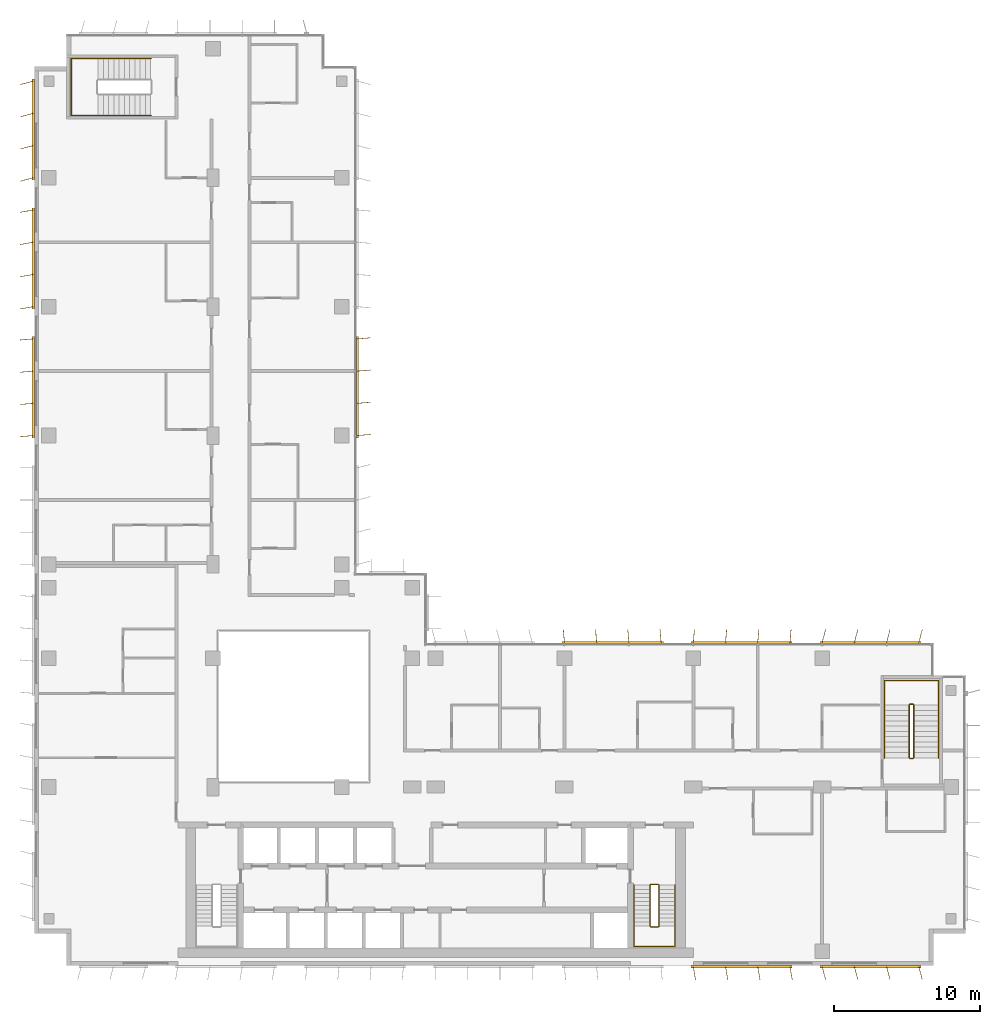
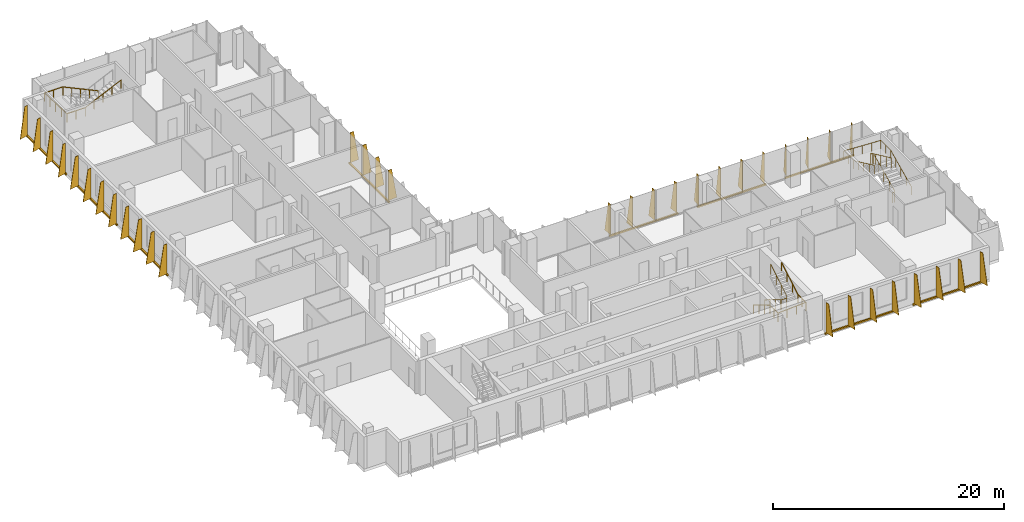
# One storey, part 19 of 20: 9 shading devices, 5 railings.
"""IFC4 building model written with IfcOpenShell, lengths in metres."""

from ifc_helpers import new_model, si_unit, direction, frame, origin, origin_2d, place, context, subcontext, project, spatial, polyline, rectangle, circle, outline, extrude, source, transform, mapped, material, layer, layer_set, type_object, element, save


model = new_model("IFC4")

# Units and contexts
model_context = context("Model", 3, precision=1e-05, world=origin(), true_north=direction((0.0, 1.0)))
body_context = subcontext(model_context, "Body", "Model", "MODEL_VIEW")
ifc_project = project(units=[si_unit("LENGTHUNIT", "METRE"), si_unit("AREAUNIT", "SQUARE_METRE"), si_unit("VOLUMEUNIT", "CUBIC_METRE"), si_unit("PLANEANGLEUNIT", "RADIAN"), si_unit("MASSUNIT", "GRAM", prefix="KILO")], contexts=[model_context])

# Site, building, storey
site_placement = place(None, origin())
site = spatial("IfcSite", under=ifc_project, at=site_placement, CompositionType="ELEMENT")
building_placement = place(site_placement, origin())
building = spatial("IfcBuilding", under=site, at=building_placement, Name="Kemantara Hotel Tower", CompositionType="ELEMENT")
storey_placement = place(building_placement, frame((0.0, 0.0, 186.39990234375)))
storey = spatial("IfcBuildingStorey", under=building, at=storey_placement, Name="L46", CompositionType="ELEMENT", Elevation=186.39990234375)

# Railings
ifc_material_1 = material(Name="Stainless steel balustrade", Category="steel")
railing_type_1 = type_object("IfcRailingType", Name="Stair guard 1100 mm", PredefinedType="GUARDRAIL", material=ifc_material_1)
railing_1_placement = place(storey_placement, frame((42.64990234375, 5.5, 3.7001953125)))
element("IfcRailing", 1, at=railing_1_placement, inside=storey, type_object=railing_type_1, Name="L46 ST2 stair guard 1", PredefinedType="GUARDRAIL", context=body_context, shape_type="SweptSolid", body=[
    extrude(circle(Radius=0.02392578125, at=origin_2d()), frame((0.0, 0.0, 1.076171875), z_axis=(0.0, -0.857242210791, -0.514913383045), x_axis=(1.0, 0.0, 0.0)), (0.0, 0.0, 1.0), 3.266357421875),
    extrude(circle(Radius=0.02392578125, at=origin_2d()), frame((0.0, -2.800048828125, -0.60595703125), z_axis=(-0.273006030465, -0.27434429532, -0.922064485248), x_axis=(0.708833529934, -0.705375805398, 0.0)), (0.0, 0.0, 1.0), 0.182373046875),
    extrude(circle(Radius=0.02392578125, at=origin_2d()), frame((-0.0498046875, -2.85009765625, -0.77392578125), z_axis=(-1.0, 0.0, 0.0), x_axis=(0.0, -1.0, 0.0)), (0.0, 0.0, 1.0), 0.5),
    extrude(circle(Radius=0.02392578125, at=origin_2d()), frame((-0.5498046875, -2.85009765625, -0.77392578125), z_axis=(-0.707106781187, 0.707106781187, 0.0), x_axis=(-0.707106781187, -0.707106781187, 0.0)), (0.0, 0.0, 1.0), 0.07080078125),
    extrude(circle(Radius=0.02392578125, at=origin_2d()), frame((-0.599853515625, -2.800048828125, -0.77392578125), z_axis=(0.0, 0.857242210791, -0.514913383045), x_axis=(-1.0, 0.0, 0.0)), (0.0, 0.0, 1.0), 3.266357421875),
    extrude(circle(Radius=0.02392578125, at=origin_2d()), frame((-0.599853515625, 0.0, -2.4560546875), z_axis=(0.274243871929, 0.274243871929, -0.92172696468), x_axis=(-0.707106781187, 0.707106781187, 0.0)), (0.0, 0.0, 1.0), 0.1826171875),
    extrude(circle(Radius=0.02392578125, at=origin_2d()), frame((-0.5498046875, 0.050048828125, -2.6240234375), z_axis=(1.0, 0.0, 0.0), x_axis=(0.0, 1.0, 0.0)), (0.0, 0.0, 1.0), 0.5),
    extrude(circle(Radius=0.02099609375, at=origin_2d()), origin(), (0.0, 0.0, 1.0), 1.052001953125),
    extrude(circle(Radius=0.02099609375, at=origin_2d()), frame((0.0, -0.933349609375, -0.560546875)), (0.0, 0.0, 1.0), 1.052001953125),
    extrude(circle(Radius=0.02099609375, at=origin_2d()), frame((0.0, -1.86669921875, -1.121337890625)), (0.0, 0.0, 1.0), 1.052001953125),
    extrude(circle(Radius=0.02099609375, at=origin_2d()), frame((0.0, -2.800048828125, -1.681884765625)), (0.0, 0.0, 1.0), 1.052001953125),
    extrude(circle(Radius=0.02099609375, at=origin_2d()), frame((-0.0498046875, -2.85009765625, -1.85009765625)), (0.0, 0.0, 1.0), 1.052001953125),
    extrude(circle(Radius=0.02099609375, at=origin_2d()), frame((-0.5498046875, -2.85009765625, -1.85009765625)), (0.0, 0.0, 1.0), 1.052001953125),
    extrude(circle(Radius=0.02099609375, at=origin_2d()), frame((-0.599853515625, -2.800048828125, -1.85009765625)), (0.0, 0.0, 1.0), 1.052001953125),
    extrude(circle(Radius=0.02099609375, at=origin_2d()), frame((-0.599853515625, -1.86669921875, -2.41064453125)), (0.0, 0.0, 1.0), 1.052001953125),
    extrude(circle(Radius=0.02099609375, at=origin_2d()), frame((-0.599853515625, -0.933349609375, -2.971435546875)), (0.0, 0.0, 1.0), 1.052001953125),
    extrude(circle(Radius=0.02099609375, at=origin_2d()), frame((-0.599853515625, 0.0, -3.531982421875)), (0.0, 0.0, 1.0), 1.052001953125),
    extrude(circle(Radius=0.02099609375, at=origin_2d()), frame((-0.5498046875, 0.050048828125, -3.7001953125)), (0.0, 0.0, 1.0), 1.052001953125),
    extrude(circle(Radius=0.02099609375, at=origin_2d()), frame((-0.0498046875, 0.050048828125, -3.7001953125)), (0.0, 0.0, 1.0), 1.052001953125),
])
railing_2_placement = place(storey_placement, frame((59.75, 14.199951171875, 3.7001953125)))
element("IfcRailing", 2, at=railing_2_placement, inside=storey, type_object=railing_type_1, Name="L46 ST3 stair guard 1", PredefinedType="GUARDRAIL", context=body_context, shape_type="SweptSolid", body=[
    extrude(circle(Radius=0.02392578125, at=origin_2d()), frame((0.0, 0.0, 1.076171875), z_axis=(0.0, 0.906005689286, -0.423265508849), x_axis=(-1.0, 0.0, 0.0)), (0.0, 0.0, 1.0), 3.9736328125),
    extrude(circle(Radius=0.02392578125, at=origin_2d()), frame((0.0, 3.60009765625, -0.60595703125), z_axis=(0.274243871929, 0.274243871929, -0.92172696468), x_axis=(-0.707106781187, 0.707106781187, 0.0)), (0.0, 0.0, 1.0), 0.1826171875),
    extrude(circle(Radius=0.02392578125, at=origin_2d()), frame((0.050048828125, 3.650146484375, -0.77392578125), z_axis=(1.0, 0.0, 0.0), x_axis=(0.0, 1.0, 0.0)), (0.0, 0.0, 1.0), 0.199951171875),
    extrude(circle(Radius=0.02392578125, at=origin_2d()), frame((0.25, 3.650146484375, -0.77392578125), z_axis=(0.707106781187, -0.707106781187, 0.0), x_axis=(0.707106781187, 0.707106781187, 0.0)), (0.0, 0.0, 1.0), 0.07080078125),
    extrude(circle(Radius=0.02392578125, at=origin_2d()), frame((0.300048828125, 3.60009765625, -0.77392578125), z_axis=(0.0, -0.906005689286, -0.423265508849), x_axis=(1.0, 0.0, 0.0)), (0.0, 0.0, 1.0), 3.9736328125),
    extrude(circle(Radius=0.02392578125, at=origin_2d()), frame((0.300048828125, 0.0, -2.4560546875), z_axis=(-0.274243871929, -0.274243871929, -0.92172696468), x_axis=(0.707106781187, -0.707106781187, 0.0)), (0.0, 0.0, 1.0), 0.1826171875),
    extrude(circle(Radius=0.02392578125, at=origin_2d()), frame((0.25, -0.050048828125, -2.6240234375), z_axis=(-1.0, 0.0, 0.0), x_axis=(0.0, -1.0, 0.0)), (0.0, 0.0, 1.0), 0.199951171875),
    extrude(circle(Radius=0.02099609375, at=origin_2d()), origin(), (0.0, 0.0, 1.0), 1.052001953125),
    extrude(circle(Radius=0.02099609375, at=origin_2d()), frame((0.0, 0.89990234375, -0.42041015625)), (0.0, 0.0, 1.0), 1.052001953125),
    extrude(circle(Radius=0.02099609375, at=origin_2d()), frame((0.0, 1.800048828125, -0.8408203125)), (0.0, 0.0, 1.0), 1.052001953125),
    extrude(circle(Radius=0.02099609375, at=origin_2d()), frame((0.0, 2.7001953125, -1.261474609375)), (0.0, 0.0, 1.0), 1.052001953125),
    extrude(circle(Radius=0.02099609375, at=origin_2d()), frame((0.0, 3.60009765625, -1.681884765625)), (0.0, 0.0, 1.0), 1.052001953125),
    extrude(circle(Radius=0.02099609375, at=origin_2d()), frame((0.050048828125, 3.650146484375, -1.85009765625)), (0.0, 0.0, 1.0), 1.052001953125),
    extrude(circle(Radius=0.02099609375, at=origin_2d()), frame((0.25, 3.650146484375, -1.85009765625)), (0.0, 0.0, 1.0), 1.052001953125),
    extrude(circle(Radius=0.02099609375, at=origin_2d()), frame((0.300048828125, 3.60009765625, -1.85009765625)), (0.0, 0.0, 1.0), 1.052001953125),
    extrude(circle(Radius=0.02099609375, at=origin_2d()), frame((0.300048828125, 2.7001953125, -2.2705078125)), (0.0, 0.0, 1.0), 1.052001953125),
    extrude(circle(Radius=0.02099609375, at=origin_2d()), frame((0.300048828125, 1.800048828125, -2.69091796875)), (0.0, 0.0, 1.0), 1.052001953125),
    extrude(circle(Radius=0.02099609375, at=origin_2d()), frame((0.300048828125, 0.89990234375, -3.111572265625)), (0.0, 0.0, 1.0), 1.052001953125),
    extrude(circle(Radius=0.02099609375, at=origin_2d()), frame((0.300048828125, 0.0, -3.531982421875)), (0.0, 0.0, 1.0), 1.052001953125),
    extrude(circle(Radius=0.02099609375, at=origin_2d()), frame((0.25, -0.050048828125, -3.7001953125)), (0.0, 0.0, 1.0), 1.052001953125),
    extrude(circle(Radius=0.02099609375, at=origin_2d()), frame((0.050048828125, -0.050048828125, -3.7001953125)), (0.0, 0.0, 1.0), 1.052001953125),
])
railing_type_2 = type_object("IfcRailingType", Name="Stair handrail 900 mm", PredefinedType="HANDRAIL", material=ifc_material_1)
railing_3_placement = place(storey_placement, frame((40.949951171875, 5.5, 0.168212890625)))
element("IfcRailing", 3, at=railing_3_placement, inside=storey, type_object=railing_type_2, Name="L46 ST2 stair handrail 1", PredefinedType="HANDRAIL", context=body_context, shape_type="SweptSolid", body=[
    extrude(circle(Radius=0.02392578125, at=origin_2d()), frame((0.0, 0.0, 0.8759765625), z_axis=(0.0, -0.857242210791, 0.514913383045), x_axis=(1.0, 0.0, 0.0)), (0.0, 0.0, 1.0), 3.266357421875),
    extrude(circle(Radius=0.02392578125, at=origin_2d()), frame((0.0, -2.800048828125, 2.5576171875), z_axis=(0.0, -1.0, 0.0), x_axis=(1.0, 0.0, 0.0)), (0.0, 0.0, 1.0), 1.3798828125),
    extrude(circle(Radius=0.02392578125, at=origin_2d()), frame((0.0, -4.179931640625, 2.5576171875), z_axis=(0.998200367801, 0.0, 0.059966871865), x_axis=(0.0, 1.0, 0.0)), (0.0, 0.0, 1.0), 2.80517578125),
    extrude(circle(Radius=0.02392578125, at=origin_2d()), frame((2.800048828125, -4.179931640625, 2.72607421875), z_axis=(0.0, 1.0, 0.0), x_axis=(-1.0, 0.0, 0.0)), (0.0, 0.0, 1.0), 1.3798828125),
    extrude(circle(Radius=0.02392578125, at=origin_2d()), frame((2.800048828125, -2.800048828125, 2.72607421875), z_axis=(0.0, 0.857242210791, 0.514913383045), x_axis=(-1.0, 0.0, 0.0)), (0.0, 0.0, 1.0), 3.266357421875),
    extrude(circle(Radius=0.02099609375, at=origin_2d()), origin(), (0.0, 0.0, 1.0), 0.851806640625),
    extrude(circle(Radius=0.02099609375, at=origin_2d()), frame((0.0, -0.933349609375, 0.560546875)), (0.0, 0.0, 1.0), 0.851806640625),
    extrude(circle(Radius=0.02099609375, at=origin_2d()), frame((0.0, -1.86669921875, 1.121337890625)), (0.0, 0.0, 1.0), 0.851806640625),
    extrude(circle(Radius=0.02099609375, at=origin_2d()), frame((0.0, -2.800048828125, 1.681884765625)), (0.0, 0.0, 1.0), 0.851806640625),
    extrude(circle(Radius=0.02099609375, at=origin_2d()), frame((0.0, -3.489990234375, 1.681884765625)), (0.0, 0.0, 1.0), 0.851806640625),
    extrude(circle(Radius=0.02099609375, at=origin_2d()), frame((0.0, -4.179931640625, 1.681884765625)), (0.0, 0.0, 1.0), 0.851806640625),
    extrude(circle(Radius=0.02099609375, at=origin_2d()), frame((0.933349609375, -4.179931640625, 1.738037109375)), (0.0, 0.0, 1.0), 0.851806640625),
    extrude(circle(Radius=0.02099609375, at=origin_2d()), frame((1.86669921875, -4.179931640625, 1.7939453125)), (0.0, 0.0, 1.0), 0.851806640625),
    extrude(circle(Radius=0.02099609375, at=origin_2d()), frame((2.800048828125, -4.179931640625, 1.85009765625)), (0.0, 0.0, 1.0), 0.851806640625),
    extrude(circle(Radius=0.02099609375, at=origin_2d()), frame((2.800048828125, -3.489990234375, 1.85009765625)), (0.0, 0.0, 1.0), 0.851806640625),
    extrude(circle(Radius=0.02099609375, at=origin_2d()), frame((2.800048828125, -2.800048828125, 1.85009765625)), (0.0, 0.0, 1.0), 0.851806640625),
    extrude(circle(Radius=0.02099609375, at=origin_2d()), frame((2.800048828125, -1.86669921875, 2.41064453125)), (0.0, 0.0, 1.0), 0.851806640625),
    extrude(circle(Radius=0.02099609375, at=origin_2d()), frame((2.800048828125, -0.933349609375, 2.971435546875)), (0.0, 0.0, 1.0), 0.851806640625),
    extrude(circle(Radius=0.02099609375, at=origin_2d()), frame((2.800048828125, 0.0, 3.531982421875)), (0.0, 0.0, 1.0), 0.851806640625),
])
railing_4_placement = place(storey_placement, frame((61.75, 14.199951171875, 0.168212890625)))
element("IfcRailing", 4, at=railing_4_placement, inside=storey, type_object=railing_type_2, Name="L46 ST3 stair handrail 1", PredefinedType="HANDRAIL", context=body_context, shape_type="SweptSolid", body=[
    extrude(circle(Radius=0.02392578125, at=origin_2d()), frame((0.0, 0.0, 0.8759765625), z_axis=(0.0, 0.906005689286, 0.423265508849), x_axis=(-1.0, 0.0, 0.0)), (0.0, 0.0, 1.0), 3.9736328125),
    extrude(circle(Radius=0.02392578125, at=origin_2d()), frame((0.0, 3.60009765625, 2.5576171875), z_axis=(0.0, 1.0, 0.0), x_axis=(-1.0, 0.0, 0.0)), (0.0, 0.0, 1.0), 1.679931640625),
    extrude(circle(Radius=0.02392578125, at=origin_2d()), frame((0.0, 5.280029296875, 2.5576171875), z_axis=(-0.998968132438, 0.0, 0.045416631029), x_axis=(0.0, -1.0, 0.0)), (0.0, 0.0, 1.0), 3.703857421875),
    extrude(circle(Radius=0.02392578125, at=origin_2d()), frame((-3.699951171875, 5.280029296875, 2.72607421875), z_axis=(0.0, -1.0, 0.0), x_axis=(1.0, 0.0, 0.0)), (0.0, 0.0, 1.0), 1.679931640625),
    extrude(circle(Radius=0.02392578125, at=origin_2d()), frame((-3.699951171875, 3.60009765625, 2.72607421875), z_axis=(0.0, -0.906005689286, 0.423265508849), x_axis=(1.0, 0.0, 0.0)), (0.0, 0.0, 1.0), 3.9736328125),
    extrude(circle(Radius=0.02099609375, at=origin_2d()), origin(), (0.0, 0.0, 1.0), 0.851806640625),
    extrude(circle(Radius=0.02099609375, at=origin_2d()), frame((0.0, 0.89990234375, 0.42041015625)), (0.0, 0.0, 1.0), 0.851806640625),
    extrude(circle(Radius=0.02099609375, at=origin_2d()), frame((0.0, 1.800048828125, 0.8408203125)), (0.0, 0.0, 1.0), 0.851806640625),
    extrude(circle(Radius=0.02099609375, at=origin_2d()), frame((0.0, 2.7001953125, 1.261474609375)), (0.0, 0.0, 1.0), 0.851806640625),
    extrude(circle(Radius=0.02099609375, at=origin_2d()), frame((0.0, 3.60009765625, 1.681884765625)), (0.0, 0.0, 1.0), 0.851806640625),
    extrude(circle(Radius=0.02099609375, at=origin_2d()), frame((0.0, 4.43994140625, 1.681884765625)), (0.0, 0.0, 1.0), 0.851806640625),
    extrude(circle(Radius=0.02099609375, at=origin_2d()), frame((0.0, 5.280029296875, 1.681884765625)), (0.0, 0.0, 1.0), 0.851806640625),
    extrude(circle(Radius=0.02099609375, at=origin_2d()), frame((-0.925048828125, 5.280029296875, 1.723876953125)), (0.0, 0.0, 1.0), 0.851806640625),
    extrude(circle(Radius=0.02099609375, at=origin_2d()), frame((-1.85009765625, 5.280029296875, 1.76611328125)), (0.0, 0.0, 1.0), 0.851806640625),
    extrude(circle(Radius=0.02099609375, at=origin_2d()), frame((-2.77490234375, 5.280029296875, 1.80810546875)), (0.0, 0.0, 1.0), 0.851806640625),
    extrude(circle(Radius=0.02099609375, at=origin_2d()), frame((-3.699951171875, 5.280029296875, 1.85009765625)), (0.0, 0.0, 1.0), 0.851806640625),
    extrude(circle(Radius=0.02099609375, at=origin_2d()), frame((-3.699951171875, 4.43994140625, 1.85009765625)), (0.0, 0.0, 1.0), 0.851806640625),
    extrude(circle(Radius=0.02099609375, at=origin_2d()), frame((-3.699951171875, 3.60009765625, 1.85009765625)), (0.0, 0.0, 1.0), 0.851806640625),
    extrude(circle(Radius=0.02099609375, at=origin_2d()), frame((-3.699951171875, 2.7001953125, 2.2705078125)), (0.0, 0.0, 1.0), 0.851806640625),
    extrude(circle(Radius=0.02099609375, at=origin_2d()), frame((-3.699951171875, 1.800048828125, 2.69091796875)), (0.0, 0.0, 1.0), 0.851806640625),
    extrude(circle(Radius=0.02099609375, at=origin_2d()), frame((-3.699951171875, 0.89990234375, 3.111572265625)), (0.0, 0.0, 1.0), 0.851806640625),
    extrude(circle(Radius=0.02099609375, at=origin_2d()), frame((-3.699951171875, 0.0, 3.531982421875)), (0.0, 0.0, 1.0), 0.851806640625),
])
railing_5_placement = place(storey_placement, frame((7.949951171875, 61.949951171875, 0.168212890625)))
element("IfcRailing", 5, at=railing_5_placement, inside=storey, type_object=railing_type_2, Name="L46 ST4 stair handrail 1", PredefinedType="HANDRAIL", context=body_context, shape_type="SweptSolid", body=[
    extrude(circle(Radius=0.02392578125, at=origin_2d()), frame((0.0, 0.0, 0.8759765625), z_axis=(-0.905994681025, 0.0, 0.423289071386), x_axis=(0.0, -1.0, 0.0)), (0.0, 0.0, 1.0), 3.973388671875),
    extrude(circle(Radius=0.02392578125, at=origin_2d()), frame((-3.599853515625, 0.0, 2.5576171875), z_axis=(-1.0, 0.0, 0.0), x_axis=(0.0, -1.0, 0.0)), (0.0, 0.0, 1.0), 1.830078125),
    extrude(circle(Radius=0.02392578125, at=origin_2d()), frame((-5.429931640625, 0.0, 2.5576171875), z_axis=(0.0, -0.999071085748, 0.043092523981), x_axis=(1.0, 0.0, 0.0)), (0.0, 0.0, 1.0), 3.903564453125),
    extrude(circle(Radius=0.02392578125, at=origin_2d()), frame((-5.429931640625, -3.89990234375, 2.72607421875), z_axis=(1.0, 0.0, 0.0), x_axis=(0.0, 1.0, 0.0)), (0.0, 0.0, 1.0), 1.830078125),
    extrude(circle(Radius=0.02392578125, at=origin_2d()), frame((-3.599853515625, -3.89990234375, 2.72607421875), z_axis=(0.905994681025, 0.0, 0.423289071386), x_axis=(0.0, 1.0, 0.0)), (0.0, 0.0, 1.0), 3.973388671875),
    extrude(circle(Radius=0.02099609375, at=origin_2d()), origin(), (0.0, 0.0, 1.0), 0.851806640625),
    extrude(circle(Radius=0.02099609375, at=origin_2d()), frame((-0.89990234375, 0.0, 0.42041015625)), (0.0, 0.0, 1.0), 0.851806640625),
    extrude(circle(Radius=0.02099609375, at=origin_2d()), frame((-1.7998046875, 0.0, 0.8408203125)), (0.0, 0.0, 1.0), 0.851806640625),
    extrude(circle(Radius=0.02099609375, at=origin_2d()), frame((-2.699951171875, 0.0, 1.261474609375)), (0.0, 0.0, 1.0), 0.851806640625),
    extrude(circle(Radius=0.02099609375, at=origin_2d()), frame((-3.599853515625, 0.0, 1.681884765625)), (0.0, 0.0, 1.0), 0.851806640625),
    extrude(circle(Radius=0.02099609375, at=origin_2d()), frame((-4.514892578125, 0.0, 1.681884765625)), (0.0, 0.0, 1.0), 0.851806640625),
    extrude(circle(Radius=0.02099609375, at=origin_2d()), frame((-5.429931640625, 0.0, 1.681884765625)), (0.0, 0.0, 1.0), 0.851806640625),
    extrude(circle(Radius=0.02099609375, at=origin_2d()), frame((-5.429931640625, -0.97509765625, 1.723876953125)), (0.0, 0.0, 1.0), 0.851806640625),
    extrude(circle(Radius=0.02099609375, at=origin_2d()), frame((-5.429931640625, -1.949951171875, 1.76611328125)), (0.0, 0.0, 1.0), 0.851806640625),
    extrude(circle(Radius=0.02099609375, at=origin_2d()), frame((-5.429931640625, -2.9248046875, 1.80810546875)), (0.0, 0.0, 1.0), 0.851806640625),
    extrude(circle(Radius=0.02099609375, at=origin_2d()), frame((-5.429931640625, -3.89990234375, 1.85009765625)), (0.0, 0.0, 1.0), 0.851806640625),
    extrude(circle(Radius=0.02099609375, at=origin_2d()), frame((-4.514892578125, -3.89990234375, 1.85009765625)), (0.0, 0.0, 1.0), 0.851806640625),
    extrude(circle(Radius=0.02099609375, at=origin_2d()), frame((-3.599853515625, -3.89990234375, 1.85009765625)), (0.0, 0.0, 1.0), 0.851806640625),
    extrude(circle(Radius=0.02099609375, at=origin_2d()), frame((-2.699951171875, -3.89990234375, 2.2705078125)), (0.0, 0.0, 1.0), 0.851806640625),
    extrude(circle(Radius=0.02099609375, at=origin_2d()), frame((-1.7998046875, -3.89990234375, 2.69091796875)), (0.0, 0.0, 1.0), 0.851806640625),
    extrude(circle(Radius=0.02099609375, at=origin_2d()), frame((-0.89990234375, -3.89990234375, 3.111572265625)), (0.0, 0.0, 1.0), 0.851806640625),
    extrude(circle(Radius=0.02099609375, at=origin_2d()), frame((0.0, -3.89990234375, 3.531982421875)), (0.0, 0.0, 1.0), 0.851806640625),
])

# Shading devices
ifc_material_2 = material(Name="Perforated aluminium plate 4 mm bronze anodised", Category="aluminium")
ifc_layer_1 = layer(ifc_material_2, 0.0400390625)
ifc_layer_set_1 = layer_set([ifc_layer_1], Name="Perforated aluminium plate 4 mm bronze anodised")
shading_device_type_1 = type_object("IfcShadingDeviceType", Name="SCREEN FIN CASSETTE, 4 BLADES AT -5.0 DEG, 3200 HIGH", PredefinedType="USERDEFINED", material=ifc_layer_set_1)
shared_shape_1 = source(origin(), body_context, "Body", "SweptSolid", [
    extrude(rectangle(XDim=6.89990234375, YDim=0.14990234375, at=origin_2d()), frame((3.300048828125, -0.074951171875, -0.14990234375), z_axis=(0.0, 0.0, 1.0), x_axis=(1.0, 0.0, 0.0)), (0.0, 0.0, 1.0), 0.14990234375),
    extrude(outline(polyline([(0.0, 0.0), (0.89990234375, 0.0), (0.35009765625, 3.199951171875), (0.0, 3.199951171875), (0.0, 0.0)])), frame((0.02001953125, -0.07666015625, 0.0), z_axis=(-0.996376129781, 0.085056498884, 0.0), x_axis=(-0.085056498884, -0.996376129781, 0.0)), (0.0, 0.0, 1.0), 0.040283203125),
    extrude(outline(polyline([(0.0, 0.0), (0.89990234375, 0.0), (0.35009765625, 3.199951171875), (0.0, 3.199951171875), (0.0, 0.0)])), frame((2.219970703125, -0.07666015625, 0.0), z_axis=(-0.996331773833, 0.085574508182, 0.0), x_axis=(-0.085574508182, -0.996331773833, 0.0)), (0.0, 0.0, 1.0), 0.0400390625),
    extrude(outline(polyline([(0.0, 0.0), (0.89990234375, 0.0), (0.35009765625, 3.199951171875), (0.0, 3.199951171875), (0.0, 0.0)])), frame((4.419921875, -0.07666015625, 0.0), z_axis=(-0.996331773833, 0.085574508182, 0.0), x_axis=(-0.085574508182, -0.996331773833, 0.0)), (0.0, 0.0, 1.0), 0.0400390625),
    extrude(outline(polyline([(0.0, 0.0), (0.89990234375, 0.0), (0.35009765625, 3.199951171875), (0.0, 3.199951171875), (0.0, 0.0)])), frame((6.619873046875, -0.07666015625, 0.0), z_axis=(-0.996331773833, 0.085574508182, 0.0), x_axis=(-0.085574508182, -0.996331773833, 0.0)), (0.0, 0.0, 1.0), 0.0400390625),
])
shading_device_1_placement = place(storey_placement, frame((51.60009765625, 22.0, 0.10009765625), z_axis=(0.0, 0.0, 1.0), x_axis=(-1.0, 0.0, 0.0)))
element("IfcShadingDevice", 6, at=shading_device_1_placement, inside=storey, type_object=shading_device_type_1, Name="SCREEN FIN CASSETTE L46 T3-R14-2", ObjectType="SCREEN FIN", PredefinedType="USERDEFINED", context=body_context, shape_type="MappedRepresentation", body=[
    mapped(shared_shape_1, transform((0.0, 0.0, 0.0))),
])
ifc_layer_2 = layer(ifc_material_2, 0.0400390625)
ifc_layer_set_2 = layer_set([ifc_layer_2], Name="Perforated aluminium plate 4 mm bronze anodised")
shading_device_type_2 = type_object("IfcShadingDeviceType", Name="SCREEN FIN CASSETTE, 4 BLADES AT +5.0 DEG, 3200 HIGH", PredefinedType="USERDEFINED", material=ifc_layer_set_2)
shared_shape_2 = source(origin(), body_context, "Body", "SweptSolid", [
    extrude(rectangle(XDim=6.89990234375, YDim=0.14990234375, at=origin_2d()), frame((3.300048828125, -0.074951171875, -0.14990234375), z_axis=(0.0, 0.0, 1.0), x_axis=(1.0, 0.0, 0.0)), (0.0, 0.0, 1.0), 0.14990234375),
    extrude(outline(polyline([(0.0, 0.0), (0.89990234375, 0.0), (0.35009765625, 3.199951171875), (0.0, 3.199951171875), (0.0, 0.0)])), frame((0.02001953125, -0.0732421875, 0.0), z_axis=(-0.996376129781, -0.085056498884, 0.0), x_axis=(0.085056498884, -0.996376129781, 0.0)), (0.0, 0.0, 1.0), 0.040283203125),
    extrude(outline(polyline([(0.0, 0.0), (0.89990234375, 0.0), (0.35009765625, 3.199951171875), (0.0, 3.199951171875), (0.0, 0.0)])), frame((2.219970703125, -0.0732421875, 0.0), z_axis=(-0.996331773833, -0.085574508182, 0.0), x_axis=(0.085574508182, -0.996331773833, 0.0)), (0.0, 0.0, 1.0), 0.0400390625),
    extrude(outline(polyline([(0.0, 0.0), (0.89990234375, 0.0), (0.35009765625, 3.199951171875), (0.0, 3.199951171875), (0.0, 0.0)])), frame((4.419921875, -0.0732421875, 0.0), z_axis=(-0.996331773833, -0.085574508182, 0.0), x_axis=(0.085574508182, -0.996331773833, 0.0)), (0.0, 0.0, 1.0), 0.0400390625),
    extrude(outline(polyline([(0.0, 0.0), (0.89990234375, 0.0), (0.35009765625, 3.199951171875), (0.0, 3.199951171875), (0.0, 0.0)])), frame((6.619873046875, -0.0732421875, 0.0), z_axis=(-0.996331773833, -0.085574508182, 0.0), x_axis=(0.085574508182, -0.996331773833, 0.0)), (0.0, 0.0, 1.0), 0.0400390625),
])
for number, where, z_axis, x_axis, name in (
    (7, (0.0, 42.800048828125, 0.10009765625), (0.0, 0.0, 1.0), (0.0, -1.0, 0.0), "SCREEN FIN CASSETTE L46 T3-R05-3"),
    (8, (42.800048828125, 22.0, 0.10009765625), (0.0, 0.0, 1.0), (-1.0, 0.0, 0.0), "SCREEN FIN CASSETTE L46 T3-R14-3"),
    (9, (22.0, 36.199951171875, 0.10009765625), (0.0, 0.0, 1.0), (0.0, 1.0, 0.0), "SCREEN FIN CASSETTE L46 T3-R17-2"),
):
    element("IfcShadingDevice", number, at=place(storey_placement, frame(where, z_axis=z_axis, x_axis=x_axis)), inside=storey, type_object=shading_device_type_2, Name=name, ObjectType="SCREEN FIN", PredefinedType="USERDEFINED", context=body_context, shape_type="MappedRepresentation", body=[
        mapped(shared_shape_2, transform((0.0, 0.0, 0.0))),
    ])
ifc_layer_3 = layer(ifc_material_2, 0.0400390625)
ifc_layer_set_3 = layer_set([ifc_layer_3], Name="Perforated aluminium plate 4 mm bronze anodised")
shading_device_type_3 = type_object("IfcShadingDeviceType", Name="SCREEN FIN CASSETTE, 4 BLADES AT +10.0 DEG, 3200 HIGH", PredefinedType="USERDEFINED", material=ifc_layer_set_3)
shared_shape_3 = source(origin(), body_context, "Body", "SweptSolid", [
    extrude(rectangle(XDim=6.89990234375, YDim=0.14990234375, at=origin_2d()), frame((3.300048828125, -0.074951171875, -0.14990234375), z_axis=(0.0, 0.0, 1.0), x_axis=(1.0, 0.0, 0.0)), (0.0, 0.0, 1.0), 0.14990234375),
    extrude(outline(polyline([(0.0, 0.0), (0.89990234375, 0.0), (0.35009765625, 3.199951171875), (0.0, 3.199951171875), (0.0, 0.0)])), frame((0.019775390625, -0.071533203125, 0.0), z_axis=(-0.985389793052, -0.170314285219, 0.0), x_axis=(0.170314285219, -0.985389793052, 0.0)), (0.0, 0.0, 1.0), 0.0400390625),
    extrude(outline(polyline([(0.0, 0.0), (0.89990234375, 0.0), (0.35009765625, 3.199951171875), (0.0, 3.199951171875), (0.0, 0.0)])), frame((2.2197265625, -0.071533203125, 0.0), z_axis=(-0.98521175482, -0.171341174751, 0.0), x_axis=(0.171341174751, -0.98521175482, 0.0)), (0.0, 0.0, 1.0), 0.039794921875),
    extrude(outline(polyline([(0.0, 0.0), (0.89990234375, 0.0), (0.35009765625, 3.199951171875), (0.0, 3.199951171875), (0.0, 0.0)])), frame((4.419677734375, -0.071533203125, 0.0), z_axis=(-0.98521175482, -0.171341174751, 0.0), x_axis=(0.171341174751, -0.98521175482, 0.0)), (0.0, 0.0, 1.0), 0.039794921875),
    extrude(outline(polyline([(0.0, 0.0), (0.89990234375, 0.0), (0.35009765625, 3.199951171875), (0.0, 3.199951171875), (0.0, 0.0)])), frame((6.61962890625, -0.071533203125, 0.0), z_axis=(-0.98521175482, -0.171341174751, 0.0), x_axis=(0.171341174751, -0.98521175482, 0.0)), (0.0, 0.0, 1.0), 0.039794921875),
])
for number, where, z_axis, x_axis, name in (
    (10, (0.0, 51.60009765625, 0.10009765625), (0.0, 0.0, 1.0), (0.0, -1.0, 0.0), "SCREEN FIN CASSETTE L46 T3-R05-2"),
    (11, (45.0, 0.0, 0.10009765625), (0.0, 0.0, 1.0), (1.0, 0.0, 0.0), "SCREEN FIN CASSETTE L46 T3-R08-6"),
):
    element("IfcShadingDevice", number, at=place(storey_placement, frame(where, z_axis=z_axis, x_axis=x_axis)), inside=storey, type_object=shading_device_type_3, Name=name, ObjectType="SCREEN FIN", PredefinedType="USERDEFINED", context=body_context, shape_type="MappedRepresentation", body=[
        mapped(shared_shape_3, transform((0.0, 0.0, 0.0))),
    ])
ifc_layer_4 = layer(ifc_material_2, 0.0400390625)
ifc_layer_set_4 = layer_set([ifc_layer_4], Name="Perforated aluminium plate 4 mm bronze anodised")
shading_device_type_4 = type_object("IfcShadingDeviceType", Name="SCREEN FIN CASSETTE, 4 BLADES AT +15.0 DEG, 3200 HIGH", PredefinedType="USERDEFINED", material=ifc_layer_set_4)
shared_shape_4 = source(origin(), body_context, "Body", "SweptSolid", [
    extrude(rectangle(XDim=6.89990234375, YDim=0.14990234375, at=origin_2d()), frame((3.300048828125, -0.074951171875, -0.14990234375), z_axis=(0.0, 0.0, 1.0), x_axis=(1.0, 0.0, 0.0)), (0.0, 0.0, 1.0), 0.14990234375),
    extrude(outline(polyline([(0.0, 0.0), (0.89990234375, 0.0), (0.35009765625, 3.199951171875), (0.0, 3.199951171875), (0.0, 0.0)])), frame((0.019287109375, -0.06982421875, 0.0), z_axis=(-0.966437683387, -0.256901156343, 0.0), x_axis=(0.256901156343, -0.966437683387, 0.0)), (0.0, 0.0, 1.0), 0.039794921875),
    extrude(outline(polyline([(0.0, 0.0), (0.89990234375, 0.0), (0.35009765625, 3.199951171875), (0.0, 3.199951171875), (0.0, 0.0)])), frame((2.21923828125, -0.06982421875, 0.0), z_axis=(-0.966437683387, -0.256901156343, 0.0), x_axis=(0.256901156343, -0.966437683387, 0.0)), (0.0, 0.0, 1.0), 0.039794921875),
    extrude(outline(polyline([(0.0, 0.0), (0.89990234375, 0.0), (0.35009765625, 3.199951171875), (0.0, 3.199951171875), (0.0, 0.0)])), frame((4.41943359375, -0.06982421875, 0.0), z_axis=(-0.966837822169, -0.255391122837, 0.0), x_axis=(0.255391122837, -0.966837822169, 0.0)), (0.0, 0.0, 1.0), 0.0400390625),
    extrude(outline(polyline([(0.0, 0.0), (0.89990234375, 0.0), (0.35009765625, 3.199951171875), (0.0, 3.199951171875), (0.0, 0.0)])), frame((6.619384765625, -0.06982421875, 0.0), z_axis=(-0.966837822169, -0.255391122837, 0.0), x_axis=(0.255391122837, -0.966837822169, 0.0)), (0.0, 0.0, 1.0), 0.0400390625),
])
for number, where, z_axis, x_axis, name in (
    (12, (0.0, 60.39990234375, 0.10009765625), (0.0, 0.0, 1.0), (0.0, -1.0, 0.0), "SCREEN FIN CASSETTE L46 T3-R05-1"),
    (13, (53.800048828125, 0.0, 0.10009765625), (0.0, 0.0, 1.0), (1.0, 0.0, 0.0), "SCREEN FIN CASSETTE L46 T3-R08-7"),
):
    element("IfcShadingDevice", number, at=place(storey_placement, frame(where, z_axis=z_axis, x_axis=x_axis)), inside=storey, type_object=shading_device_type_4, Name=name, ObjectType="SCREEN FIN", PredefinedType="USERDEFINED", context=body_context, shape_type="MappedRepresentation", body=[
        mapped(shared_shape_4, transform((0.0, 0.0, 0.0))),
    ])
ifc_layer_5 = layer(ifc_material_2, 0.0400390625)
ifc_layer_set_5 = layer_set([ifc_layer_5], Name="Perforated aluminium plate 4 mm bronze anodised")
shading_device_type_5 = type_object("IfcShadingDeviceType", Name="SCREEN FIN CASSETTE, 4 BLADES AT -15.0 DEG, 3200 HIGH", PredefinedType="USERDEFINED", material=ifc_layer_set_5)
shared_shape_5 = source(origin(), body_context, "Body", "SweptSolid", [
    extrude(rectangle(XDim=6.89990234375, YDim=0.14990234375, at=origin_2d()), frame((3.300048828125, -0.074951171875, -0.14990234375), z_axis=(0.0, 0.0, 1.0), x_axis=(1.0, 0.0, 0.0)), (0.0, 0.0, 1.0), 0.14990234375),
    extrude(outline(polyline([(0.0, 0.0), (0.89990234375, 0.0), (0.35009765625, 3.199951171875), (0.0, 3.199951171875), (0.0, 0.0)])), frame((0.019287109375, -0.080078125, 0.0), z_axis=(-0.966437683387, 0.256901156343, 0.0), x_axis=(-0.256901156343, -0.966437683387, 0.0)), (0.0, 0.0, 1.0), 0.039794921875),
    extrude(outline(polyline([(0.0, 0.0), (0.89990234375, 0.0), (0.35009765625, 3.199951171875), (0.0, 3.199951171875), (0.0, 0.0)])), frame((2.21923828125, -0.080078125, 0.0), z_axis=(-0.966437683387, 0.256901156343, 0.0), x_axis=(-0.256901156343, -0.966437683387, 0.0)), (0.0, 0.0, 1.0), 0.039794921875),
    extrude(outline(polyline([(0.0, 0.0), (0.89990234375, 0.0), (0.35009765625, 3.199951171875), (0.0, 3.199951171875), (0.0, 0.0)])), frame((4.41943359375, -0.080078125, 0.0), z_axis=(-0.966837822169, 0.255391122837, 0.0), x_axis=(-0.255391122837, -0.966837822169, 0.0)), (0.0, 0.0, 1.0), 0.0400390625),
    extrude(outline(polyline([(0.0, 0.0), (0.89990234375, 0.0), (0.35009765625, 3.199951171875), (0.0, 3.199951171875), (0.0, 0.0)])), frame((6.619384765625, -0.080078125, 0.0), z_axis=(-0.966837822169, 0.255391122837, 0.0), x_axis=(-0.255391122837, -0.966837822169, 0.0)), (0.0, 0.0, 1.0), 0.0400390625),
])
shading_device_2_placement = place(storey_placement, frame((60.39990234375, 22.0, 0.10009765625), z_axis=(0.0, 0.0, 1.0), x_axis=(-1.0, 0.0, 0.0)))
element("IfcShadingDevice", 14, at=shading_device_2_placement, inside=storey, type_object=shading_device_type_5, Name="SCREEN FIN CASSETTE L46 T3-R14-1", ObjectType="SCREEN FIN", PredefinedType="USERDEFINED", context=body_context, shape_type="MappedRepresentation", body=[
    mapped(shared_shape_5, transform((0.0, 0.0, 0.0))),
])

save(model, "model.ifc")
